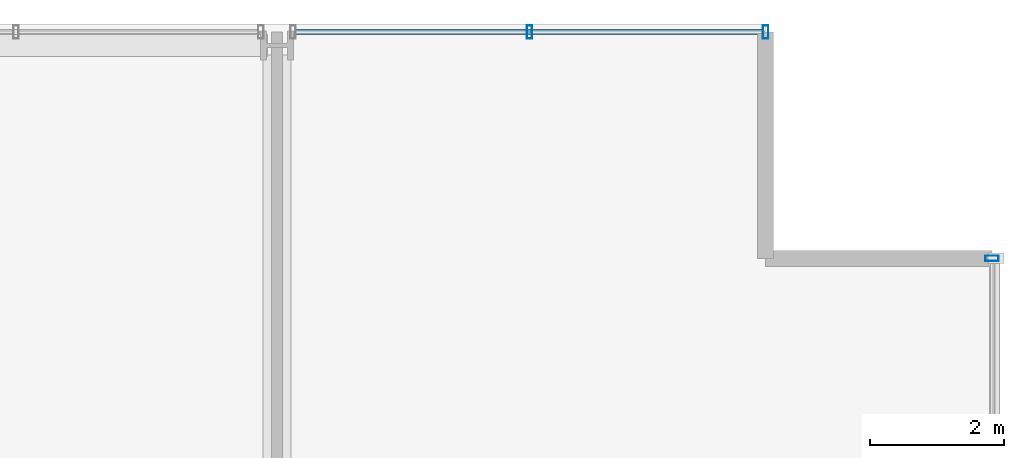
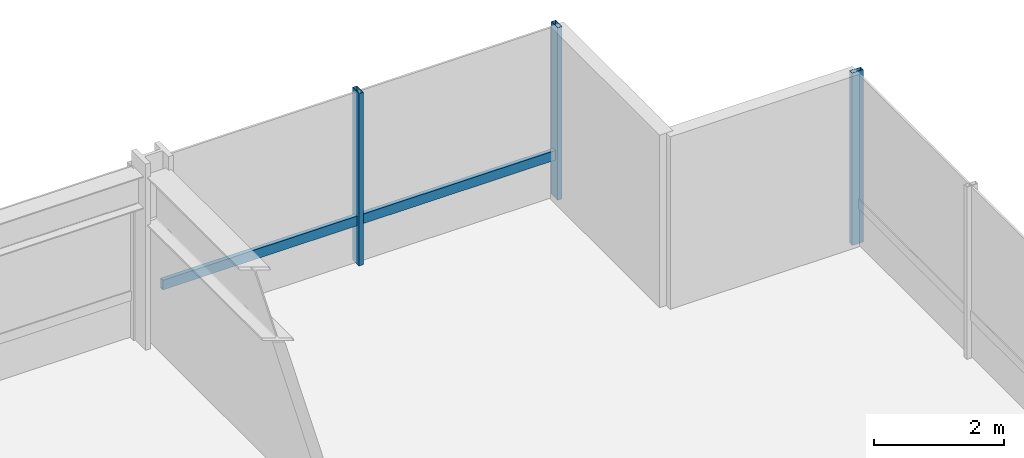
# One storey, part 28 of 39: 4 members, 2 elements without a shape of their own.
"""IFC4 building model written with IfcOpenShell, lengths in metres."""

from ifc_helpers import new_model, si_unit, direction, frame, origin, origin_2d, place, context, subcontext, project, spatial, hollow_rectangle, extrude, material, layer, layer_set, material_profile, profile_set, type_object, element, aggregate, save


model = new_model("IFC4")

# Units and contexts
model_context = context("Model", 3, precision=1e-05, world=origin(), true_north=direction((0.0, 1.0)))
body_context = subcontext(model_context, "Body", "Model", "MODEL_VIEW")
ifc_project = project(units=[si_unit("LENGTHUNIT", "METRE"), si_unit("AREAUNIT", "SQUARE_METRE"), si_unit("VOLUMEUNIT", "CUBIC_METRE"), si_unit("PLANEANGLEUNIT", "RADIAN"), si_unit("MASSUNIT", "GRAM", prefix="KILO")], contexts=[model_context])

# Site, building, storey
site_placement = place(None, origin())
site = spatial("IfcSite", under=ifc_project, at=site_placement, CompositionType="ELEMENT")
building_placement = place(site_placement, origin())
building = spatial("IfcBuilding", under=site, at=building_placement, Name="Drelvath Grand Hotel", CompositionType="ELEMENT")
storey_placement = place(building_placement, frame((0.0, 0.0, 40.199951171875)))
storey = spatial("IfcBuildingStorey", under=building, at=storey_placement, Name="L08", CompositionType="ELEMENT", Elevation=40.199951171875)

# Curtain wall, member
ifc_material = material(Name="Warm Bronze Anodised Aluminium Frame", Category="aluminium")
ifc_layer = layer(ifc_material, 0.199951171875)
ifc_layer_set = layer_set([ifc_layer], Name="Warm Bronze Anodised Aluminium Frame")
curtain_wall_type = type_object("IfcCurtainWallType", Name="Stick Curtain Wall CW-02 Warm Bronze Low-Rise", PredefinedType="NOTDEFINED", material=ifc_layer_set)
curtain_wall_1_placement = place(storey_placement, origin())
curtain_wall_1 = element("IfcCurtainWall", 1, at=curtain_wall_1_placement, inside=storey, type_object=curtain_wall_type, Name="L08 CW-02 Curtain Wall CW02-L08-NE3", PredefinedType="NOTDEFINED")
ifc_material_profile_1 = material_profile(ifc_material, hollow_rectangle(XDim=0.074951171875, YDim=0.179931640625, WallThickness=0.0048828125, at=origin_2d()), Name="HSS180X75X5")
ifc_profile_set_1 = profile_set([ifc_material_profile_1], Name="Warm Bronze Anodised Aluminium Frame")
member_type_1 = type_object("IfcMemberType", Name="Curtain Wall Horizontal Transom CW-02 HSS180X75X5", PredefinedType="USERDEFINED", material=ifc_profile_set_1)
member_1_placement = place(storey_placement, frame((16.48095703125, 53.8798828125, 0.81005859375), z_axis=(1.0, 0.0, 0.0), x_axis=(0.0, 1.0, 0.0)))
member_1 = element("IfcMember", 2, at=member_1_placement, type_object=member_type_1, Name="CW02-L08-NE3 Sill Transom", ObjectType="TRANSOM", PredefinedType="USERDEFINED", context=body_context, shape_type="SweptSolid", body=[
    extrude(hollow_rectangle(XDim=0.074951171875, YDim=0.179931640625, WallThickness=0.0048828125, at=origin_2d()), origin(), (0.0, 0.0, 1.0), 6.97900390625),
])

curtain_wall_2_placement = place(storey_placement, origin())
curtain_wall_2 = element("IfcCurtainWall", 3, at=curtain_wall_2_placement, inside=storey, type_object=curtain_wall_type, Name="L08 CW-02 Curtain Wall CW02-L08-EN3", PredefinedType="NOTDEFINED")
ifc_material_profile_2 = material_profile(ifc_material, hollow_rectangle(XDim=0.080078125, YDim=0.199951171875, WallThickness=0.0048828125, at=origin_2d()), Name="HSS200X80X5")
ifc_profile_set_2 = profile_set([ifc_material_profile_2], Name="Warm Bronze Anodised Aluminium Frame")
member_type_2 = type_object("IfcMemberType", Name="Curtain Wall Vertical Mullion CW-02 HSS200X80X5", PredefinedType="MULLION", material=ifc_profile_set_2)
member_2_placement = place(storey_placement, frame((26.8798828125, 50.5, 0.0), z_axis=(0.0, 0.0, 1.0), x_axis=(0.0, 1.0, 0.0)))
member_2 = element("IfcMember", 4, at=member_2_placement, type_object=member_type_2, Name="CW02-L08-EN3 Mullion 1", PredefinedType="MULLION", context=body_context, shape_type="SweptSolid", body=[
    extrude(hollow_rectangle(XDim=0.080078125, YDim=0.199951171875, WallThickness=0.0048828125, at=origin_2d()), origin(), (0.0, 0.0, 1.0), 3.239990234375),
])
aggregate(curtain_wall_2, [member_2])

# Member
member_3_placement = place(storey_placement, frame((19.970458984375, 53.8798828125, 0.0), z_axis=(0.0, 0.0, 1.0), x_axis=(1.0, 0.0, 0.0)))
member_3 = element("IfcMember", 5, at=member_3_placement, type_object=member_type_2, Name="CW02-L08-NE3 Mullion 2", PredefinedType="MULLION", context=body_context, shape_type="SweptSolid", body=[
    extrude(hollow_rectangle(XDim=0.080078125, YDim=0.199951171875, WallThickness=0.0048828125, at=origin_2d()), origin(), (0.0, 0.0, 1.0), 3.239990234375),
])

member_4_placement = place(storey_placement, frame((23.5, 53.8798828125, 0.0), z_axis=(0.0, 0.0, 1.0), x_axis=(1.0, 0.0, 0.0)))
member_4 = element("IfcMember", 6, at=member_4_placement, type_object=member_type_2, Name="CW02-L08-NE3 Mullion 3", PredefinedType="MULLION", context=body_context, shape_type="SweptSolid", body=[
    extrude(hollow_rectangle(XDim=0.080078125, YDim=0.199951171875, WallThickness=0.0048828125, at=origin_2d()), origin(), (0.0, 0.0, 1.0), 3.239990234375),
])

aggregate(curtain_wall_1, [member_3, member_4, member_1])

save(model, "model.ifc")
